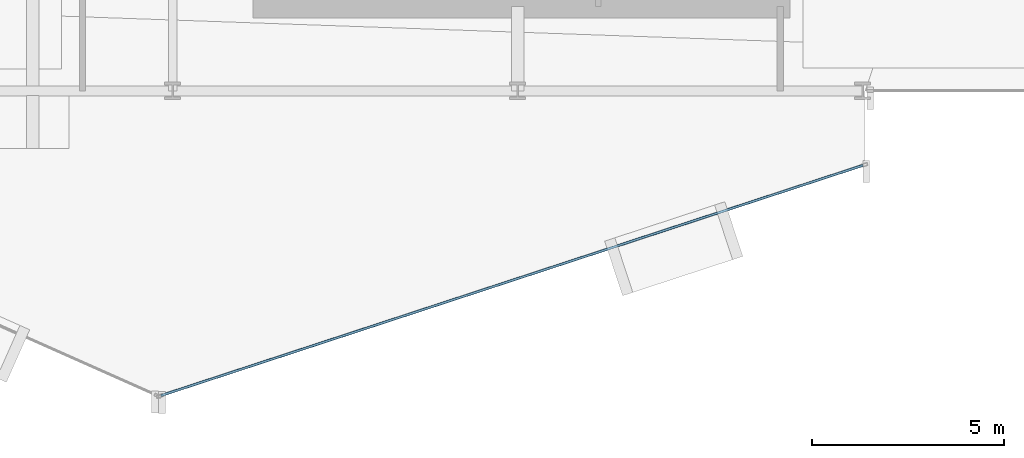
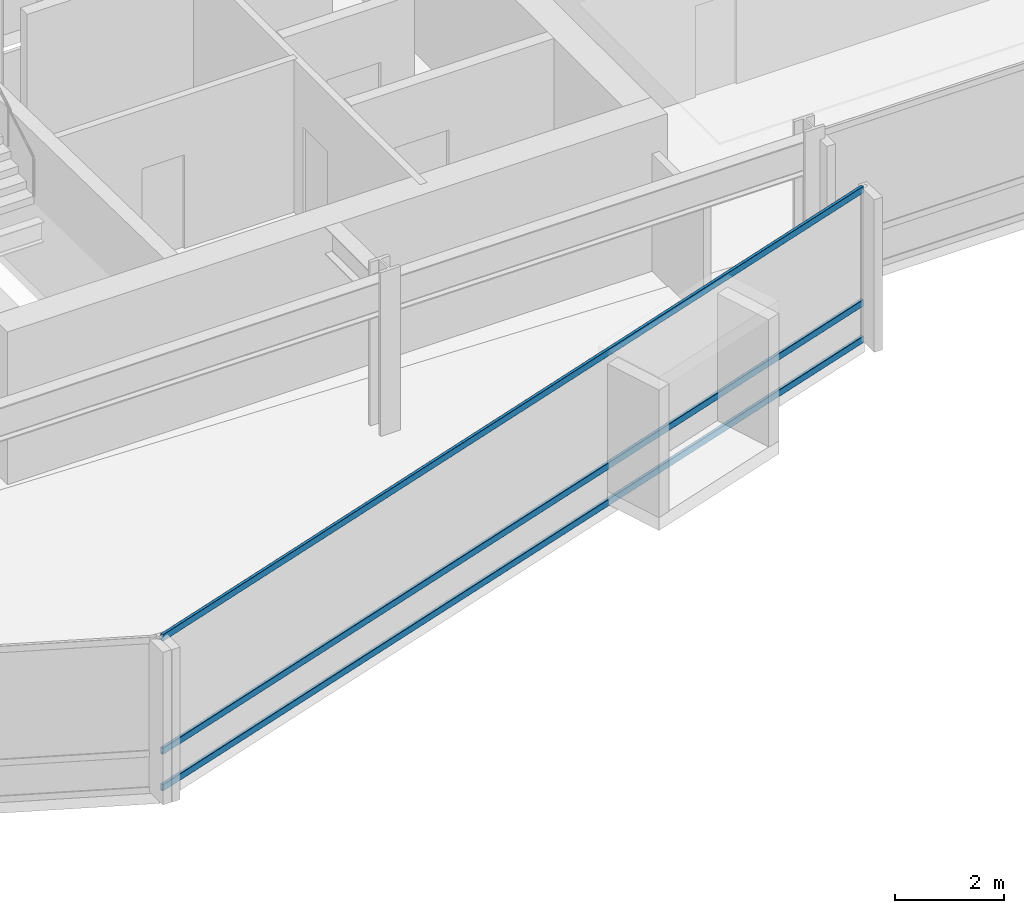
# One storey, part 9 of 29: 3 members, 1 element without a shape of its own.
"""IFC4 building model written with IfcOpenShell, lengths in metres."""

from ifc_helpers import new_model, si_unit, direction, frame, origin, origin_2d, place, context, subcontext, project, spatial, hollow_rectangle, extrude, material, layer, layer_set, material_profile, profile_set, type_object, element, aggregate, save


model = new_model("IFC4")

# Units and contexts
model_context = context("Model", 3, precision=1e-05, world=origin(), true_north=direction((0.0, 1.0)))
body_context = subcontext(model_context, "Body", "Model", "MODEL_VIEW")
ifc_project = project(units=[si_unit("LENGTHUNIT", "METRE"), si_unit("AREAUNIT", "SQUARE_METRE"), si_unit("VOLUMEUNIT", "CUBIC_METRE"), si_unit("PLANEANGLEUNIT", "RADIAN"), si_unit("MASSUNIT", "GRAM", prefix="KILO")], contexts=[model_context])

# Site, building, storey
site_placement = place(None, origin())
site = spatial("IfcSite", under=ifc_project, at=site_placement, CompositionType="ELEMENT")
building_placement = place(site_placement, origin())
building = spatial("IfcBuilding", under=site, at=building_placement, Name="Solvaryn Broadcast Tower", CompositionType="ELEMENT")
storey_placement = place(building_placement, frame((0.0, 0.0, 113.699951171875)))
storey = spatial("IfcBuildingStorey", under=building, at=storey_placement, Name="L27", CompositionType="ELEMENT", Elevation=113.699951171875)

# Curtain wall, members
ifc_material_1 = material(Name="Aluminium and Terracotta Unitised Curtain Wall", Category="masonry")
ifc_layer = layer(ifc_material_1, 0.199951171875)
ifc_layer_set = layer_set([ifc_layer], Name="CW-SYS2-LOWMID")
curtain_wall_type = type_object("IfcCurtainWallType", Name="CW-SYS2-LOWMID", PredefinedType="NOTDEFINED", material=ifc_layer_set)
curtain_wall_placement = place(storey_placement, origin())
curtain_wall = element("IfcCurtainWall", 1, at=curtain_wall_placement, inside=storey, type_object=curtain_wall_type, Name="L27 Curtain Wall DR4", PredefinedType="NOTDEFINED")
ifc_material_2 = material(Name="Anodised Aluminium 6063-T6", Category="aluminium")
ifc_material_profile = material_profile(ifc_material_2, hollow_rectangle(XDim=0.06494140625, YDim=0.14990234375, WallThickness=0.00390625, InnerFilletRadius=0.00390625, OuterFilletRadius=0.008056640625, at=origin_2d()))
ifc_profile_set = profile_set([ifc_material_profile], Name="Anodised Aluminium 6063-T6")
member_type = type_object("IfcMemberType", Name="CW-TRN-150", PredefinedType="USERDEFINED", material=ifc_profile_set)
member_1_placement = place(storey_placement, frame((26.693115234375, 1.052734375, 0.030029296875), z_axis=(0.950198373323, 0.31164571445, 0.0), x_axis=(-0.31164571445, 0.950198373323, 0.0)))
member_1 = element("IfcMember", 2, at=member_1_placement, type_object=member_type, Name="CWS2 transom 1.1", ObjectType="TRANSOM", PredefinedType="USERDEFINED", context=body_context, shape_type="SweptSolid", body=[
    extrude(hollow_rectangle(XDim=0.06494140625, YDim=0.14990234375, WallThickness=0.00390625, InnerFilletRadius=0.00390625, OuterFilletRadius=0.008056640625, at=origin_2d()), origin(), (0.0, 0.0, 1.0), 19.27685546875),
])
member_2_placement = place(storey_placement, frame((26.693115234375, 1.052734375, 0.85009765625), z_axis=(0.950198373323, 0.31164571445, 0.0), x_axis=(-0.31164571445, 0.950198373323, 0.0)))
member_2 = element("IfcMember", 3, at=member_2_placement, type_object=member_type, Name="CWS2 transom 1.2", ObjectType="TRANSOM", PredefinedType="USERDEFINED", context=body_context, shape_type="SweptSolid", body=[
    extrude(hollow_rectangle(XDim=0.06494140625, YDim=0.14990234375, WallThickness=0.00390625, InnerFilletRadius=0.00390625, OuterFilletRadius=0.008056640625, at=origin_2d()), origin(), (0.0, 0.0, 1.0), 19.27685546875),
])
member_3_placement = place(storey_placement, frame((26.693115234375, 1.052734375, 3.39013671875), z_axis=(0.950198373323, 0.31164571445, 0.0), x_axis=(-0.31164571445, 0.950198373323, 0.0)))
member_3 = element("IfcMember", 4, at=member_3_placement, type_object=member_type, Name="CWS2 transom 1.3", ObjectType="TRANSOM", PredefinedType="USERDEFINED", context=body_context, shape_type="SweptSolid", body=[
    extrude(hollow_rectangle(XDim=0.06494140625, YDim=0.14990234375, WallThickness=0.00390625, InnerFilletRadius=0.00390625, OuterFilletRadius=0.008056640625, at=origin_2d()), origin(), (0.0, 0.0, 1.0), 19.27685546875),
])
aggregate(curtain_wall, [member_1, member_2, member_3])

save(model, "model.ifc")
